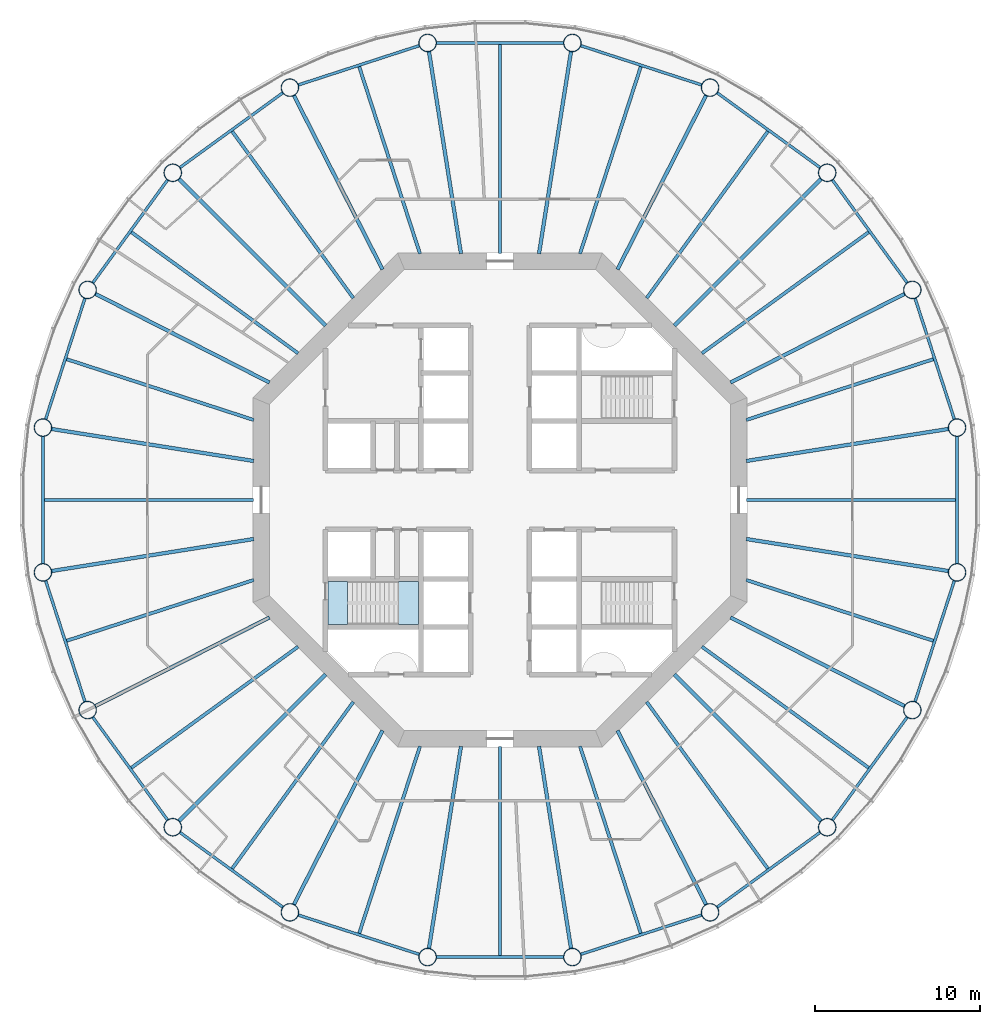
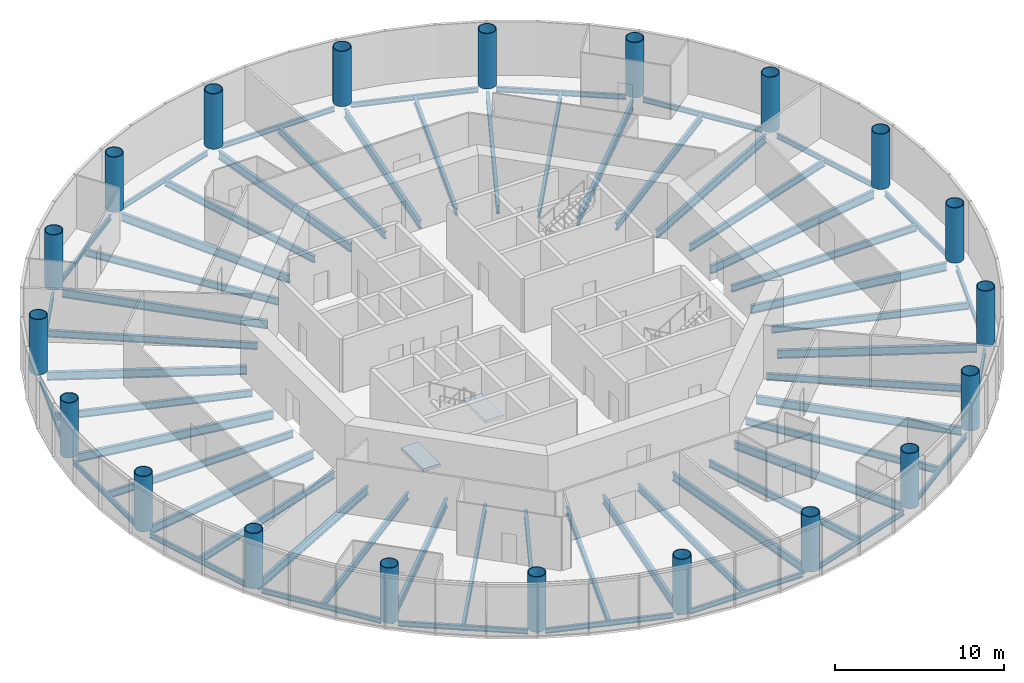
# One storey, part 1 of 13: 60 beams, 20 columns, 2 slabs, 1 element without a shape of its own.
"""IFC4 building model written with IfcOpenShell, lengths in metres."""

from ifc_helpers import new_model, si_unit, direction, frame, origin, origin_2d, place, context, subcontext, project, spatial, polyline, circle, hollow_circle, i_section, outline, extrude, material, layer, layer_set, material_profile, profile_set, type_object, element, aggregate, save


model = new_model("IFC4")

# Units and contexts
model_context = context("Model", 3, precision=1e-05, world=origin(), true_north=direction((0.0, 1.0)))
body_context = subcontext(model_context, "Body", "Model", "MODEL_VIEW")
ifc_project = project(units=[si_unit("LENGTHUNIT", "METRE"), si_unit("AREAUNIT", "SQUARE_METRE"), si_unit("VOLUMEUNIT", "CUBIC_METRE"), si_unit("PLANEANGLEUNIT", "RADIAN"), si_unit("MASSUNIT", "GRAM", prefix="KILO")], contexts=[model_context])

# Site, building, storey
site_placement = place(None, origin())
site = spatial("IfcSite", under=ifc_project, at=site_placement, CompositionType="ELEMENT")
building_placement = place(site_placement, origin())
building = spatial("IfcBuilding", under=site, at=building_placement, Name="Entoto Ring Tower", CompositionType="ELEMENT")
storey_placement = place(building_placement, frame((0.0, 0.0, 188.0)))
storey = spatial("IfcBuildingStorey", under=building, at=storey_placement, Name="L43", CompositionType="ELEMENT", Elevation=188.0)

# Columns
ifc_material_1 = material(Name="Steel S355", Category="steel")
ifc_material_profile_1 = material_profile(ifc_material_1, hollow_circle(Radius=0.550048828125, WallThickness=0.050048828125, at=origin_2d()), Name="CHS 1100 x 50")
ifc_material_2 = material(Name="Concrete C60/75", Category="concrete")
ifc_material_profile_2 = material_profile(ifc_material_2, circle(Radius=0.5, at=origin_2d()), Name="Concrete C60/75 infill")
ifc_profile_set_1 = profile_set([ifc_material_profile_1, ifc_material_profile_2], Name="Steel S355")
column_type = type_object("IfcColumnType", Name="Ring column 1100 x 50 concrete-filled tube", PredefinedType="COLUMN", material=ifc_profile_set_1)
for number, where, z_axis, x_axis, name in (
    (1, (117.754150390625, 84.395751953125, 0.0), (0.0, 0.0, 1.0), (1.0, 0.0, 0.0), "RC3 R01"),
    (2, (115.037353515625, 92.757080078125, 0.0), (0.0, 0.0, 1.0), (1.0, 0.0, 0.0), "RC3 R02"),
    (3, (109.86962890625, 99.86962890625, 0.0), (0.0, 0.0, 1.0), (1.0, 0.0, 0.0), "RC3 R03"),
    (4, (102.757080078125, 105.037353515625, 0.0), (0.0, 0.0, 1.0), (1.0, 0.0, 0.0), "RC3 R04"),
    (5, (94.395751953125, 107.754150390625, 0.0), (0.0, 0.0, 1.0), (1.0, 0.0, 0.0), "RC3 R05"),
    (6, (85.604248046875, 107.754150390625, 0.0), (0.0, 0.0, 1.0), (1.0, 0.0, 0.0), "RC3 R06"),
    (7, (77.242919921875, 105.037353515625, 0.0), (0.0, 0.0, 1.0), (1.0, 0.0, 0.0), "RC3 R07"),
    (8, (70.13037109375, 99.86962890625, 0.0), (0.0, 0.0, 1.0), (1.0, 0.0, 0.0), "RC3 R08"),
    (9, (64.962646484375, 92.757080078125, 0.0), (0.0, 0.0, 1.0), (1.0, 0.0, 0.0), "RC3 R09"),
    (10, (62.245849609375, 84.395751953125, 0.0), (0.0, 0.0, 1.0), (1.0, 0.0, 0.0), "RC3 R10"),
    (11, (62.245849609375, 75.604248046875, 0.0), (0.0, 0.0, 1.0), (1.0, 0.0, 0.0), "RC3 R11"),
    (12, (64.962646484375, 67.242919921875, 0.0), (0.0, 0.0, 1.0), (1.0, 0.0, 0.0), "RC3 R12"),
    (13, (70.13037109375, 60.13037109375, 0.0), (0.0, 0.0, 1.0), (1.0, 0.0, 0.0), "RC3 R13"),
    (14, (77.242919921875, 54.962646484375, 0.0), (0.0, 0.0, 1.0), (1.0, 0.0, 0.0), "RC3 R14"),
    (15, (85.604248046875, 52.245849609375, 0.0), (0.0, 0.0, 1.0), (1.0, 0.0, 0.0), "RC3 R15"),
    (16, (94.395751953125, 52.245849609375, 0.0), (0.0, 0.0, 1.0), (1.0, 0.0, 0.0), "RC3 R16"),
    (17, (102.757080078125, 54.962646484375, 0.0), (0.0, 0.0, 1.0), (1.0, 0.0, 0.0), "RC3 R17"),
    (18, (109.86962890625, 60.13037109375, 0.0), (0.0, 0.0, 1.0), (1.0, 0.0, 0.0), "RC3 R18"),
    (19, (115.037353515625, 67.242919921875, 0.0), (0.0, 0.0, 1.0), (1.0, 0.0, 0.0), "RC3 R19"),
    (20, (117.754150390625, 75.604248046875, 0.0), (0.0, 0.0, 1.0), (1.0, 0.0, 0.0), "RC3 R20"),
):
    element("IfcColumn", number, at=place(storey_placement, frame(where, z_axis=z_axis, x_axis=x_axis)), inside=storey, type_object=column_type, Name=name, PredefinedType="COLUMN", context=body_context, shape_type="SweptSolid", body=[
        extrude(hollow_circle(Radius=0.550048828125, WallThickness=0.050048828125, at=origin_2d()), origin(), (0.0, 0.0, 1.0), 4.0),
    ])

# Beams
ifc_material_3 = material(Name="Steel S355", Category="steel")
ifc_material_profile_3 = material_profile(ifc_material_3, i_section(OverallWidth=0.169921875, OverallDepth=0.360107421875, WebThickness=0.008056640625, FlangeThickness=0.0126953125, FilletRadius=0.01806640625, at=origin_2d()), Name="IPE 360")
ifc_profile_set_2 = profile_set([ifc_material_profile_3], Name="Steel S355")
beam_type_1 = type_object("IfcBeamType", Name="Edge beam IPE 360", PredefinedType="SPANDREL", material=ifc_profile_set_2)
for number, where, z_axis, x_axis, name in (
    (21, (117.59228515625, 84.8935546875, -0.330078125), (-0.309012656105, 0.951057925874, 0.0), (-0.951057925874, -0.309012656105, 0.0), "Edge beam L43 01"),
    (22, (114.729736328125, 93.180419921875, -0.330078125), (-0.587791153253, 0.809012707043, 0.0), (-0.809012707043, -0.587791153253, 0.0), "Edge beam L43 02"),
    (23, (109.4462890625, 100.17724609375, -0.330078125), (-0.809012707043, 0.587791153253, 0.0), (-0.587791153253, -0.809012707043, 0.0), "Edge beam L43 03"),
    (24, (102.259521484375, 105.198974609375, -0.330078125), (-0.951057925874, 0.309012656105, 0.0), (-0.309012656105, -0.951057925874, 0.0), "Edge beam L43 04"),
    (25, (93.87255859375, 107.754150390625, -0.330078125), (-1.0, 0.0, 0.0), (0.0, -1.0, 0.0), "Edge beam L43 05"),
    (26, (85.1064453125, 107.59228515625, -0.330078125), (-0.951057925874, -0.309012656105, 0.0), (0.309012656105, -0.951057925874, 0.0), "Edge beam L43 06"),
    (27, (76.819580078125, 104.729736328125, -0.330078125), (-0.809012707043, -0.587791153253, 0.0), (0.587791153253, -0.809012707043, 0.0), "Edge beam L43 07"),
    (28, (69.82275390625, 99.4462890625, -0.330078125), (-0.587791153253, -0.809012707043, 0.0), (0.809012707043, -0.587791153253, 0.0), "Edge beam L43 08"),
    (29, (64.801025390625, 92.259521484375, -0.330078125), (-0.309012656105, -0.951057925874, 0.0), (0.951057925874, -0.309012656105, 0.0), "Edge beam L43 09"),
    (30, (62.245849609375, 83.87255859375, -0.330078125), (0.0, -1.0, 0.0), (1.0, 0.0, 0.0), "Edge beam L43 10"),
    (31, (62.40771484375, 75.1064453125, -0.330078125), (0.309012656105, -0.951057925874, 0.0), (0.951057925874, 0.309012656105, 0.0), "Edge beam L43 11"),
    (32, (65.270263671875, 66.819580078125, -0.330078125), (0.587791153253, -0.809012707043, 0.0), (0.809012707043, 0.587791153253, 0.0), "Edge beam L43 12"),
    (33, (70.5537109375, 59.82275390625, -0.330078125), (0.809012707043, -0.587791153253, 0.0), (0.587791153253, 0.809012707043, 0.0), "Edge beam L43 13"),
    (34, (77.740478515625, 54.801025390625, -0.330078125), (0.951057925874, -0.309012656105, 0.0), (0.309012656105, 0.951057925874, 0.0), "Edge beam L43 14"),
    (35, (86.12744140625, 52.245849609375, -0.330078125), (1.0, 0.0, 0.0), (0.0, 1.0, 0.0), "Edge beam L43 15"),
    (36, (94.8935546875, 52.40771484375, -0.330078125), (0.951057925874, 0.309012656105, 0.0), (-0.309012656105, 0.951057925874, 0.0), "Edge beam L43 16"),
    (37, (103.180419921875, 55.270263671875, -0.330078125), (0.809012707043, 0.587791153253, 0.0), (-0.587791153253, 0.809012707043, 0.0), "Edge beam L43 17"),
    (38, (110.17724609375, 60.5537109375, -0.330078125), (0.587791153253, 0.809012707043, 0.0), (-0.809012707043, 0.587791153253, 0.0), "Edge beam L43 18"),
    (39, (115.198974609375, 67.740478515625, -0.330078125), (0.309012656105, 0.951057925874, 0.0), (-0.951057925874, 0.309012656105, 0.0), "Edge beam L43 19"),
    (40, (117.754150390625, 76.12744140625, -0.330078125), (0.0, 1.0, 0.0), (-1.0, 0.0, 0.0), "Edge beam L43 20"),
):
    element("IfcBeam", number, at=place(storey_placement, frame(where, z_axis=z_axis, x_axis=x_axis)), inside=storey, type_object=beam_type_1, Name=name, PredefinedType="SPANDREL", context=body_context, shape_type="SweptSolid", body=[
        extrude(i_section(OverallWidth=0.169921875, OverallDepth=0.360107421875, WebThickness=0.008056640625, FlangeThickness=0.0126953125, FilletRadius=0.01806640625, at=origin_2d()), origin(), (0.0, 0.0, 1.0), 7.7451171875),
    ])
ifc_material_4 = material(Name="Steel S355", Category="steel")
ifc_material_profile_4 = material_profile(ifc_material_4, i_section(OverallWidth=0.219970703125, OverallDepth=0.60009765625, WebThickness=0.011962890625, FlangeThickness=0.01904296875, FilletRadius=0.02392578125, at=origin_2d()), Name="IPE 600")
ifc_profile_set_3 = profile_set([ifc_material_profile_4], Name="Steel S355")
beam_type_2 = type_object("IfcBeamType", Name="Primary floor beam IPE 600", PredefinedType="BEAM", material=ifc_profile_set_3)
beam_1_placement = place(storey_placement, frame((104.963134765625, 82.369873046875, -0.449951171875), z_axis=(0.987687213789, 0.156441579247, 0.0), x_axis=(-0.156441579247, 0.987687213789, 0.0)))
element("IfcBeam", 41, at=beam_1_placement, inside=storey, type_object=beam_type_2, Name="Primary L43 R01", PredefinedType="BEAM", context=body_context, shape_type="SweptSolid", body=[
    extrude(i_section(OverallWidth=0.219970703125, OverallDepth=0.60009765625, WebThickness=0.011962890625, FlangeThickness=0.01904296875, FilletRadius=0.02392578125, at=origin_2d()), origin(), (0.0, 0.0, 1.0), 12.431640625),
])
beam_2_placement = place(storey_placement, frame((104.003173828125, 87.135009765625, -0.449951171875), z_axis=(0.891010444609, 0.453982805399, 0.0), x_axis=(-0.453982805399, 0.891010444609, 0.0)))
element("IfcBeam", 42, at=beam_2_placement, inside=storey, type_object=beam_type_2, Name="Primary L43 R02", PredefinedType="BEAM", context=body_context, shape_type="SweptSolid", body=[
    extrude(i_section(OverallWidth=0.219970703125, OverallDepth=0.60009765625, WebThickness=0.011962890625, FlangeThickness=0.01904296875, FilletRadius=0.02392578125, at=origin_2d()), origin(), (0.0, 0.0, 1.0), 11.864990234375),
])
beam_3_placement = place(storey_placement, frame((100.592529296875, 90.592529296875, -0.449951171875), z_axis=(0.707106781187, 0.707106781187, 0.0), x_axis=(-0.707106781187, 0.707106781187, 0.0)))
element("IfcBeam", 43, at=beam_3_placement, inside=storey, type_object=beam_type_2, Name="Primary L43 R03", PredefinedType="BEAM", context=body_context, shape_type="SweptSolid", body=[
    extrude(i_section(OverallWidth=0.219970703125, OverallDepth=0.60009765625, WebThickness=0.011962890625, FlangeThickness=0.01904296875, FilletRadius=0.02392578125, at=origin_2d()), origin(), (0.0, 0.0, 1.0), 12.601318359375),
])
beam_4_placement = place(storey_placement, frame((97.135009765625, 94.003173828125, -0.449951171875), z_axis=(0.453982805399, 0.891010444609, 0.0), x_axis=(-0.891010444609, 0.453982805399, 0.0)))
element("IfcBeam", 44, at=beam_4_placement, inside=storey, type_object=beam_type_2, Name="Primary L43 R04", PredefinedType="BEAM", context=body_context, shape_type="SweptSolid", body=[
    extrude(i_section(OverallWidth=0.219970703125, OverallDepth=0.60009765625, WebThickness=0.011962890625, FlangeThickness=0.01904296875, FilletRadius=0.02392578125, at=origin_2d()), origin(), (0.0, 0.0, 1.0), 11.864990234375),
])
for number, where, z_axis, x_axis, name in (
    (45, (92.369873046875, 94.963134765625, -0.449951171875), (0.156441579247, 0.987687213789, 0.0), (-0.987687213789, 0.156441579247, 0.0), "Primary L43 R05"),
    (46, (87.630126953125, 94.963134765625, -0.449951171875), (-0.156441579247, 0.987687213789, 0.0), (-0.987687213789, -0.156441579247, 0.0), "Primary L43 R06"),
):
    element("IfcBeam", number, at=place(storey_placement, frame(where, z_axis=z_axis, x_axis=x_axis)), inside=storey, type_object=beam_type_2, Name=name, PredefinedType="BEAM", context=body_context, shape_type="SweptSolid", body=[
        extrude(i_section(OverallWidth=0.219970703125, OverallDepth=0.60009765625, WebThickness=0.011962890625, FlangeThickness=0.01904296875, FilletRadius=0.02392578125, at=origin_2d()), origin(), (0.0, 0.0, 1.0), 12.431640625),
    ])
beam_5_placement = place(storey_placement, frame((82.864990234375, 94.003173828125, -0.449951171875), z_axis=(-0.453982805399, 0.891010444609, 0.0), x_axis=(-0.891010444609, -0.453982805399, 0.0)))
element("IfcBeam", 47, at=beam_5_placement, inside=storey, type_object=beam_type_2, Name="Primary L43 R07", PredefinedType="BEAM", context=body_context, shape_type="SweptSolid", body=[
    extrude(i_section(OverallWidth=0.219970703125, OverallDepth=0.60009765625, WebThickness=0.011962890625, FlangeThickness=0.01904296875, FilletRadius=0.02392578125, at=origin_2d()), origin(), (0.0, 0.0, 1.0), 11.864990234375),
])
beam_6_placement = place(storey_placement, frame((79.407470703125, 90.592529296875, -0.449951171875), z_axis=(-0.707106781187, 0.707106781187, 0.0), x_axis=(-0.707106781187, -0.707106781187, 0.0)))
element("IfcBeam", 48, at=beam_6_placement, inside=storey, type_object=beam_type_2, Name="Primary L43 R08", PredefinedType="BEAM", context=body_context, shape_type="SweptSolid", body=[
    extrude(i_section(OverallWidth=0.219970703125, OverallDepth=0.60009765625, WebThickness=0.011962890625, FlangeThickness=0.01904296875, FilletRadius=0.02392578125, at=origin_2d()), origin(), (0.0, 0.0, 1.0), 12.601318359375),
])
beam_7_placement = place(storey_placement, frame((75.996826171875, 87.135009765625, -0.449951171875), z_axis=(-0.891010444609, 0.453982805399, 0.0), x_axis=(-0.453982805399, -0.891010444609, 0.0)))
element("IfcBeam", 49, at=beam_7_placement, inside=storey, type_object=beam_type_2, Name="Primary L43 R09", PredefinedType="BEAM", context=body_context, shape_type="SweptSolid", body=[
    extrude(i_section(OverallWidth=0.219970703125, OverallDepth=0.60009765625, WebThickness=0.011962890625, FlangeThickness=0.01904296875, FilletRadius=0.02392578125, at=origin_2d()), origin(), (0.0, 0.0, 1.0), 11.864990234375),
])
for number, where, z_axis, x_axis, name in (
    (50, (75.036865234375, 82.369873046875, -0.449951171875), (-0.987687213789, 0.156441579247, 0.0), (-0.156441579247, -0.987687213789, 0.0), "Primary L43 R10"),
    (51, (75.036865234375, 77.630126953125, -0.449951171875), (-0.987687213789, -0.156441579247, 0.0), (0.156441579247, -0.987687213789, 0.0), "Primary L43 R11"),
):
    element("IfcBeam", number, at=place(storey_placement, frame(where, z_axis=z_axis, x_axis=x_axis)), inside=storey, type_object=beam_type_2, Name=name, PredefinedType="BEAM", context=body_context, shape_type="SweptSolid", body=[
        extrude(i_section(OverallWidth=0.219970703125, OverallDepth=0.60009765625, WebThickness=0.011962890625, FlangeThickness=0.01904296875, FilletRadius=0.02392578125, at=origin_2d()), origin(), (0.0, 0.0, 1.0), 12.431640625),
    ])
beam_8_placement = place(storey_placement, frame((75.996826171875, 72.864990234375, -0.449951171875), z_axis=(-0.891010444609, -0.453982805399, 0.0), x_axis=(0.453982805399, -0.891010444609, 0.0)))
element("IfcBeam", 52, at=beam_8_placement, inside=storey, type_object=beam_type_2, Name="Primary L43 R12", PredefinedType="BEAM", context=body_context, shape_type="SweptSolid", body=[
    extrude(i_section(OverallWidth=0.219970703125, OverallDepth=0.60009765625, WebThickness=0.011962890625, FlangeThickness=0.01904296875, FilletRadius=0.02392578125, at=origin_2d()), origin(), (0.0, 0.0, 1.0), 11.864990234375),
])
beam_9_placement = place(storey_placement, frame((79.407470703125, 69.407470703125, -0.449951171875), z_axis=(-0.707106781187, -0.707106781187, 0.0), x_axis=(0.707106781187, -0.707106781187, 0.0)))
element("IfcBeam", 53, at=beam_9_placement, inside=storey, type_object=beam_type_2, Name="Primary L43 R13", PredefinedType="BEAM", context=body_context, shape_type="SweptSolid", body=[
    extrude(i_section(OverallWidth=0.219970703125, OverallDepth=0.60009765625, WebThickness=0.011962890625, FlangeThickness=0.01904296875, FilletRadius=0.02392578125, at=origin_2d()), origin(), (0.0, 0.0, 1.0), 12.601318359375),
])
beam_10_placement = place(storey_placement, frame((82.864990234375, 65.996826171875, -0.449951171875), z_axis=(-0.453982805399, -0.891010444609, 0.0), x_axis=(0.891010444609, -0.453982805399, 0.0)))
element("IfcBeam", 54, at=beam_10_placement, inside=storey, type_object=beam_type_2, Name="Primary L43 R14", PredefinedType="BEAM", context=body_context, shape_type="SweptSolid", body=[
    extrude(i_section(OverallWidth=0.219970703125, OverallDepth=0.60009765625, WebThickness=0.011962890625, FlangeThickness=0.01904296875, FilletRadius=0.02392578125, at=origin_2d()), origin(), (0.0, 0.0, 1.0), 11.864990234375),
])
for number, where, z_axis, x_axis, name in (
    (55, (87.630126953125, 65.036865234375, -0.449951171875), (-0.156441579247, -0.987687213789, 0.0), (0.987687213789, -0.156441579247, 0.0), "Primary L43 R15"),
    (56, (92.369873046875, 65.036865234375, -0.449951171875), (0.156441579247, -0.987687213789, 0.0), (0.987687213789, 0.156441579247, 0.0), "Primary L43 R16"),
):
    element("IfcBeam", number, at=place(storey_placement, frame(where, z_axis=z_axis, x_axis=x_axis)), inside=storey, type_object=beam_type_2, Name=name, PredefinedType="BEAM", context=body_context, shape_type="SweptSolid", body=[
        extrude(i_section(OverallWidth=0.219970703125, OverallDepth=0.60009765625, WebThickness=0.011962890625, FlangeThickness=0.01904296875, FilletRadius=0.02392578125, at=origin_2d()), origin(), (0.0, 0.0, 1.0), 12.431640625),
    ])
beam_11_placement = place(storey_placement, frame((97.135009765625, 65.996826171875, -0.449951171875), z_axis=(0.453982805399, -0.891010444609, 0.0), x_axis=(0.891010444609, 0.453982805399, 0.0)))
element("IfcBeam", 57, at=beam_11_placement, inside=storey, type_object=beam_type_2, Name="Primary L43 R17", PredefinedType="BEAM", context=body_context, shape_type="SweptSolid", body=[
    extrude(i_section(OverallWidth=0.219970703125, OverallDepth=0.60009765625, WebThickness=0.011962890625, FlangeThickness=0.01904296875, FilletRadius=0.02392578125, at=origin_2d()), origin(), (0.0, 0.0, 1.0), 11.864990234375),
])
beam_12_placement = place(storey_placement, frame((100.592529296875, 69.407470703125, -0.449951171875), z_axis=(0.707106781187, -0.707106781187, 0.0), x_axis=(0.707106781187, 0.707106781187, 0.0)))
element("IfcBeam", 58, at=beam_12_placement, inside=storey, type_object=beam_type_2, Name="Primary L43 R18", PredefinedType="BEAM", context=body_context, shape_type="SweptSolid", body=[
    extrude(i_section(OverallWidth=0.219970703125, OverallDepth=0.60009765625, WebThickness=0.011962890625, FlangeThickness=0.01904296875, FilletRadius=0.02392578125, at=origin_2d()), origin(), (0.0, 0.0, 1.0), 12.601318359375),
])
beam_13_placement = place(storey_placement, frame((104.003173828125, 72.864990234375, -0.449951171875), z_axis=(0.891010444609, -0.453982805399, 0.0), x_axis=(0.453982805399, 0.891010444609, 0.0)))
element("IfcBeam", 59, at=beam_13_placement, inside=storey, type_object=beam_type_2, Name="Primary L43 R19", PredefinedType="BEAM", context=body_context, shape_type="SweptSolid", body=[
    extrude(i_section(OverallWidth=0.219970703125, OverallDepth=0.60009765625, WebThickness=0.011962890625, FlangeThickness=0.01904296875, FilletRadius=0.02392578125, at=origin_2d()), origin(), (0.0, 0.0, 1.0), 11.864990234375),
])
beam_14_placement = place(storey_placement, frame((104.963134765625, 77.630126953125, -0.449951171875), z_axis=(0.987687213789, -0.156441579247, 0.0), x_axis=(0.156441579247, 0.987687213789, 0.0)))
element("IfcBeam", 60, at=beam_14_placement, inside=storey, type_object=beam_type_2, Name="Primary L43 R20", PredefinedType="BEAM", context=body_context, shape_type="SweptSolid", body=[
    extrude(i_section(OverallWidth=0.219970703125, OverallDepth=0.60009765625, WebThickness=0.011962890625, FlangeThickness=0.01904296875, FilletRadius=0.02392578125, at=origin_2d()), origin(), (0.0, 0.0, 1.0), 12.431640625),
])
ifc_material_5 = material(Name="Steel S355", Category="steel")
ifc_material_profile_5 = material_profile(ifc_material_5, i_section(OverallWidth=0.199951171875, OverallDepth=0.5, WebThickness=0.01025390625, FlangeThickness=0.01611328125, FilletRadius=0.02099609375, at=origin_2d()), Name="IPE 500")
ifc_profile_set_4 = profile_set([ifc_material_profile_5], Name="Steel S355")
beam_type_3 = type_object("IfcBeamType", Name="Secondary floor beam IPE 500", PredefinedType="JOIST", material=ifc_profile_set_4)
beam_15_placement = place(storey_placement, frame((104.9501953125, 84.857666015625, -0.39990234375), z_axis=(0.951056587506, 0.30901677521, 0.0), x_axis=(-0.30901677521, 0.951056587506, 0.0)))
element("IfcBeam", 61, at=beam_15_placement, inside=storey, type_object=beam_type_3, Name="Secondary beam L43 01", PredefinedType="JOIST", context=body_context, shape_type="SweptSolid", body=[
    extrude(i_section(OverallWidth=0.199951171875, OverallDepth=0.5, WebThickness=0.01025390625, FlangeThickness=0.01611328125, FilletRadius=0.02099609375, at=origin_2d()), origin(), (0.0, 0.0, 1.0), 11.94970703125),
])
for number, where, z_axis, x_axis, name in (
    (62, (102.257568359375, 88.905517578125, -0.39990234375), (0.80901431041, 0.587788946436, 0.0), (-0.587788946436, 0.80901431041, 0.0), "Secondary beam L43 02"),
    (63, (98.905517578125, 92.257568359375, -0.39990234375), (0.587788946436, 0.80901431041, 0.0), (-0.80901431041, 0.587788946436, 0.0), "Secondary beam L43 03"),
):
    element("IfcBeam", number, at=place(storey_placement, frame(where, z_axis=z_axis, x_axis=x_axis)), inside=storey, type_object=beam_type_3, Name=name, PredefinedType="JOIST", context=body_context, shape_type="SweptSolid", body=[
        extrude(i_section(OverallWidth=0.199951171875, OverallDepth=0.5, WebThickness=0.01025390625, FlangeThickness=0.01611328125, FilletRadius=0.02099609375, at=origin_2d()), origin(), (0.0, 0.0, 1.0), 12.51806640625),
    ])
beam_16_placement = place(storey_placement, frame((94.857666015625, 94.9501953125, -0.39990234375), z_axis=(0.30901677521, 0.951056587506, 0.0), x_axis=(-0.951056587506, 0.30901677521, 0.0)))
element("IfcBeam", 64, at=beam_16_placement, inside=storey, type_object=beam_type_3, Name="Secondary beam L43 04", PredefinedType="JOIST", context=body_context, shape_type="SweptSolid", body=[
    extrude(i_section(OverallWidth=0.199951171875, OverallDepth=0.5, WebThickness=0.01025390625, FlangeThickness=0.01611328125, FilletRadius=0.02099609375, at=origin_2d()), origin(), (0.0, 0.0, 1.0), 11.94970703125),
])
beam_17_placement = place(storey_placement, frame((90.0, 94.97998046875, -0.39990234375), z_axis=(0.0, 1.0, 0.0), x_axis=(-1.0, 0.0, 0.0)))
element("IfcBeam", 65, at=beam_17_placement, inside=storey, type_object=beam_type_3, Name="Secondary beam L43 05", PredefinedType="JOIST", context=body_context, shape_type="SweptSolid", body=[
    extrude(i_section(OverallWidth=0.199951171875, OverallDepth=0.5, WebThickness=0.01025390625, FlangeThickness=0.01611328125, FilletRadius=0.02099609375, at=origin_2d()), origin(), (0.0, 0.0, 1.0), 12.68896484375),
])
beam_18_placement = place(storey_placement, frame((85.142333984375, 94.9501953125, -0.39990234375), z_axis=(-0.30901677521, 0.951056587506, 0.0), x_axis=(-0.951056587506, -0.30901677521, 0.0)))
element("IfcBeam", 66, at=beam_18_placement, inside=storey, type_object=beam_type_3, Name="Secondary beam L43 06", PredefinedType="JOIST", context=body_context, shape_type="SweptSolid", body=[
    extrude(i_section(OverallWidth=0.199951171875, OverallDepth=0.5, WebThickness=0.01025390625, FlangeThickness=0.01611328125, FilletRadius=0.02099609375, at=origin_2d()), origin(), (0.0, 0.0, 1.0), 11.94970703125),
])
for number, where, z_axis, x_axis, name in (
    (67, (81.094482421875, 92.257568359375, -0.39990234375), (-0.587788946436, 0.80901431041, 0.0), (-0.80901431041, -0.587788946436, 0.0), "Secondary beam L43 07"),
    (68, (77.742431640625, 88.905517578125, -0.39990234375), (-0.80901431041, 0.587788946436, 0.0), (-0.587788946436, -0.80901431041, 0.0), "Secondary beam L43 08"),
):
    element("IfcBeam", number, at=place(storey_placement, frame(where, z_axis=z_axis, x_axis=x_axis)), inside=storey, type_object=beam_type_3, Name=name, PredefinedType="JOIST", context=body_context, shape_type="SweptSolid", body=[
        extrude(i_section(OverallWidth=0.199951171875, OverallDepth=0.5, WebThickness=0.01025390625, FlangeThickness=0.01611328125, FilletRadius=0.02099609375, at=origin_2d()), origin(), (0.0, 0.0, 1.0), 12.51806640625),
    ])
beam_19_placement = place(storey_placement, frame((75.0498046875, 84.857666015625, -0.39990234375), z_axis=(-0.951056587506, 0.30901677521, 0.0), x_axis=(-0.30901677521, -0.951056587506, 0.0)))
element("IfcBeam", 69, at=beam_19_placement, inside=storey, type_object=beam_type_3, Name="Secondary beam L43 09", PredefinedType="JOIST", context=body_context, shape_type="SweptSolid", body=[
    extrude(i_section(OverallWidth=0.199951171875, OverallDepth=0.5, WebThickness=0.01025390625, FlangeThickness=0.01611328125, FilletRadius=0.02099609375, at=origin_2d()), origin(), (0.0, 0.0, 1.0), 11.94970703125),
])
beam_20_placement = place(storey_placement, frame((75.02001953125, 80.0, -0.39990234375), z_axis=(-1.0, 0.0, 0.0), x_axis=(0.0, -1.0, 0.0)))
element("IfcBeam", 70, at=beam_20_placement, inside=storey, type_object=beam_type_3, Name="Secondary beam L43 10", PredefinedType="JOIST", context=body_context, shape_type="SweptSolid", body=[
    extrude(i_section(OverallWidth=0.199951171875, OverallDepth=0.5, WebThickness=0.01025390625, FlangeThickness=0.01611328125, FilletRadius=0.02099609375, at=origin_2d()), origin(), (0.0, 0.0, 1.0), 12.68896484375),
])
beam_21_placement = place(storey_placement, frame((75.0498046875, 75.142333984375, -0.39990234375), z_axis=(-0.951056587506, -0.30901677521, 0.0), x_axis=(0.30901677521, -0.951056587506, 0.0)))
element("IfcBeam", 71, at=beam_21_placement, inside=storey, type_object=beam_type_3, Name="Secondary beam L43 11", PredefinedType="JOIST", context=body_context, shape_type="SweptSolid", body=[
    extrude(i_section(OverallWidth=0.199951171875, OverallDepth=0.5, WebThickness=0.01025390625, FlangeThickness=0.01611328125, FilletRadius=0.02099609375, at=origin_2d()), origin(), (0.0, 0.0, 1.0), 11.94970703125),
])
for number, where, z_axis, x_axis, name in (
    (72, (77.742431640625, 71.094482421875, -0.39990234375), (-0.80901431041, -0.587788946436, 0.0), (0.587788946436, -0.80901431041, 0.0), "Secondary beam L43 12"),
    (73, (81.094482421875, 67.742431640625, -0.39990234375), (-0.587788946436, -0.80901431041, 0.0), (0.80901431041, -0.587788946436, 0.0), "Secondary beam L43 13"),
):
    element("IfcBeam", number, at=place(storey_placement, frame(where, z_axis=z_axis, x_axis=x_axis)), inside=storey, type_object=beam_type_3, Name=name, PredefinedType="JOIST", context=body_context, shape_type="SweptSolid", body=[
        extrude(i_section(OverallWidth=0.199951171875, OverallDepth=0.5, WebThickness=0.01025390625, FlangeThickness=0.01611328125, FilletRadius=0.02099609375, at=origin_2d()), origin(), (0.0, 0.0, 1.0), 12.51806640625),
    ])
beam_22_placement = place(storey_placement, frame((85.142333984375, 65.0498046875, -0.39990234375), z_axis=(-0.30901677521, -0.951056587506, 0.0), x_axis=(0.951056587506, -0.30901677521, 0.0)))
element("IfcBeam", 74, at=beam_22_placement, inside=storey, type_object=beam_type_3, Name="Secondary beam L43 14", PredefinedType="JOIST", context=body_context, shape_type="SweptSolid", body=[
    extrude(i_section(OverallWidth=0.199951171875, OverallDepth=0.5, WebThickness=0.01025390625, FlangeThickness=0.01611328125, FilletRadius=0.02099609375, at=origin_2d()), origin(), (0.0, 0.0, 1.0), 11.94970703125),
])
beam_23_placement = place(storey_placement, frame((90.0, 65.02001953125, -0.39990234375), z_axis=(0.0, -1.0, 0.0), x_axis=(1.0, 0.0, 0.0)))
element("IfcBeam", 75, at=beam_23_placement, inside=storey, type_object=beam_type_3, Name="Secondary beam L43 15", PredefinedType="JOIST", context=body_context, shape_type="SweptSolid", body=[
    extrude(i_section(OverallWidth=0.199951171875, OverallDepth=0.5, WebThickness=0.01025390625, FlangeThickness=0.01611328125, FilletRadius=0.02099609375, at=origin_2d()), origin(), (0.0, 0.0, 1.0), 12.68896484375),
])
beam_24_placement = place(storey_placement, frame((94.857666015625, 65.0498046875, -0.39990234375), z_axis=(0.30901677521, -0.951056587506, 0.0), x_axis=(0.951056587506, 0.30901677521, 0.0)))
element("IfcBeam", 76, at=beam_24_placement, inside=storey, type_object=beam_type_3, Name="Secondary beam L43 16", PredefinedType="JOIST", context=body_context, shape_type="SweptSolid", body=[
    extrude(i_section(OverallWidth=0.199951171875, OverallDepth=0.5, WebThickness=0.01025390625, FlangeThickness=0.01611328125, FilletRadius=0.02099609375, at=origin_2d()), origin(), (0.0, 0.0, 1.0), 11.94970703125),
])
for number, where, z_axis, x_axis, name in (
    (77, (98.905517578125, 67.742431640625, -0.39990234375), (0.587788946436, -0.80901431041, 0.0), (0.80901431041, 0.587788946436, 0.0), "Secondary beam L43 17"),
    (78, (102.257568359375, 71.094482421875, -0.39990234375), (0.80901431041, -0.587788946436, 0.0), (0.587788946436, 0.80901431041, 0.0), "Secondary beam L43 18"),
):
    element("IfcBeam", number, at=place(storey_placement, frame(where, z_axis=z_axis, x_axis=x_axis)), inside=storey, type_object=beam_type_3, Name=name, PredefinedType="JOIST", context=body_context, shape_type="SweptSolid", body=[
        extrude(i_section(OverallWidth=0.199951171875, OverallDepth=0.5, WebThickness=0.01025390625, FlangeThickness=0.01611328125, FilletRadius=0.02099609375, at=origin_2d()), origin(), (0.0, 0.0, 1.0), 12.51806640625),
    ])
beam_25_placement = place(storey_placement, frame((104.9501953125, 75.142333984375, -0.39990234375), z_axis=(0.951056587506, -0.30901677521, 0.0), x_axis=(0.30901677521, 0.951056587506, 0.0)))
element("IfcBeam", 79, at=beam_25_placement, inside=storey, type_object=beam_type_3, Name="Secondary beam L43 19", PredefinedType="JOIST", context=body_context, shape_type="SweptSolid", body=[
    extrude(i_section(OverallWidth=0.199951171875, OverallDepth=0.5, WebThickness=0.01025390625, FlangeThickness=0.01611328125, FilletRadius=0.02099609375, at=origin_2d()), origin(), (0.0, 0.0, 1.0), 11.94970703125),
])
beam_26_placement = place(storey_placement, frame((104.97998046875, 80.0, -0.39990234375), z_axis=(1.0, 0.0, 0.0), x_axis=(0.0, 1.0, 0.0)))
element("IfcBeam", 80, at=beam_26_placement, inside=storey, type_object=beam_type_3, Name="Secondary beam L43 20", PredefinedType="JOIST", context=body_context, shape_type="SweptSolid", body=[
    extrude(i_section(OverallWidth=0.199951171875, OverallDepth=0.5, WebThickness=0.01025390625, FlangeThickness=0.01611328125, FilletRadius=0.02099609375, at=origin_2d()), origin(), (0.0, 0.0, 1.0), 12.68896484375),
])

# Stair, slabs
ifc_material_6 = material(Name="Concrete C40/50", Category="concrete")
stair_type = type_object("IfcStairType", Name="Exit stair 1200 mm dog-leg reinforced concrete", PredefinedType="HALF_TURN_STAIR", material=ifc_material_6)
stair_placement = place(storey_placement, origin())
stair = element("IfcStair", 81, at=stair_placement, inside=storey, type_object=stair_type, Name="Exit stair 2", PredefinedType="HALF_TURN_STAIR")
ifc_material_7 = material(Name="Concrete C40/50", Category="concrete")
ifc_layer = layer(ifc_material_7, 0.199951171875)
ifc_layer_set = layer_set([ifc_layer], Name="Concrete C40/50")
slab_type = type_object("IfcSlabType", Name="Stair landing 200 mm reinforced concrete", PredefinedType="LANDING", material=ifc_layer_set)
slab_1_placement = place(storey_placement, frame((0.0, 0.0, -0.199951171875)))
slab_1 = element("IfcSlab", 82, at=slab_1_placement, type_object=slab_type, Name="ST2 landing 1", PredefinedType="LANDING", context=body_context, shape_type="SweptSolid", body=[
    extrude(outline(polyline([(80.75, 72.449951171875), (80.75, 75.050048828125), (79.550048828125, 75.050048828125), (79.550048828125, 72.449951171875), (80.75, 72.449951171875)])), origin(), (0.0, 0.0, 1.0), 0.199951171875),
])
slab_2_placement = place(storey_placement, frame((0.0, 0.0, 1.800048828125)))
slab_2 = element("IfcSlab", 83, at=slab_2_placement, type_object=slab_type, Name="ST2 landing 2", PredefinedType="LANDING", context=body_context, shape_type="SweptSolid", body=[
    extrude(outline(polyline([(83.830078125, 72.449951171875), (85.050048828125, 72.449951171875), (85.050048828125, 75.050048828125), (83.830078125, 75.050048828125), (83.830078125, 72.449951171875)])), origin(), (0.0, 0.0, 1.0), 0.199951171875),
])
aggregate(stair, [slab_1, slab_2])

save(model, "model.ifc")
